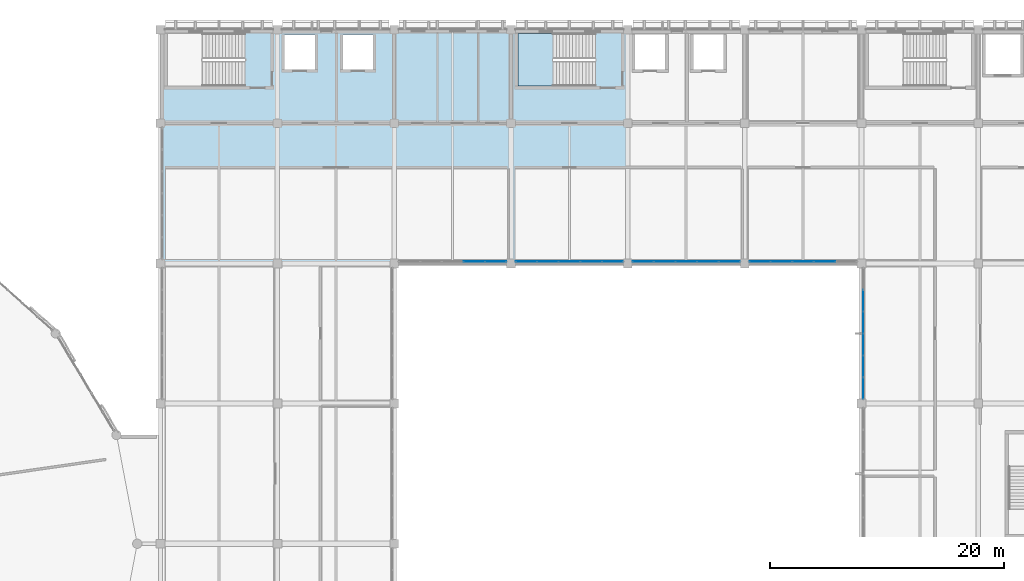
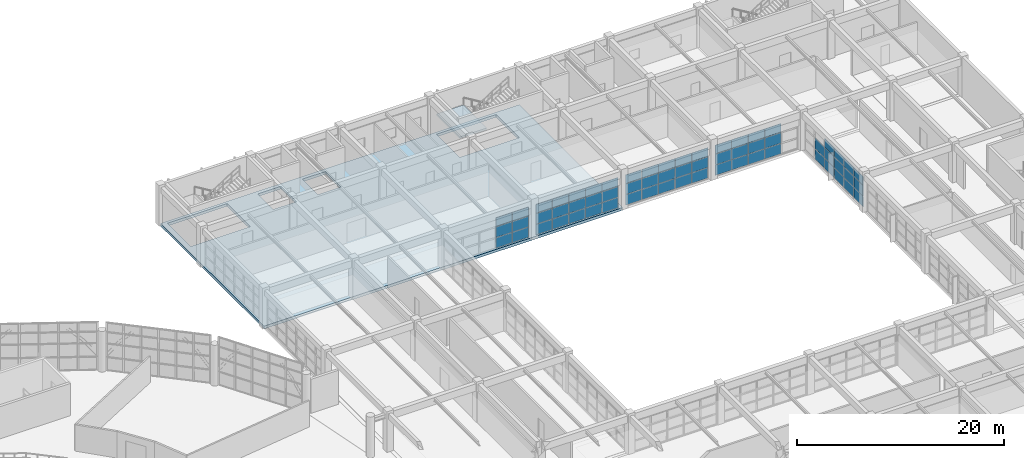
# One storey, part 77 of 109: 62 plates, 2 slabs, 6 elements without a shape of their own.
"""IFC4 building model written with IfcOpenShell, lengths in metres."""

from ifc_helpers import new_model, si_unit, direction, frame, origin, origin_2d, place, context, subcontext, project, spatial, polyline, rectangle, outline, extrude, material, layer, layer_set, type_object, element, aggregate, save


model = new_model("IFC4")

# Units and contexts
model_context = context("Model", 3, precision=1e-05, world=origin(), true_north=direction((0.0, 1.0)))
body_context = subcontext(model_context, "Body", "Model", "MODEL_VIEW")
ifc_project = project(units=[si_unit("LENGTHUNIT", "METRE"), si_unit("AREAUNIT", "SQUARE_METRE"), si_unit("VOLUMEUNIT", "CUBIC_METRE"), si_unit("PLANEANGLEUNIT", "RADIAN"), si_unit("MASSUNIT", "GRAM", prefix="KILO")], contexts=[model_context])

# Site, building, storey
site_placement = place(None, origin())
site = spatial("IfcSite", under=ifc_project, at=site_placement, CompositionType="ELEMENT")
building_placement = place(site_placement, origin())
building = spatial("IfcBuilding", under=site, at=building_placement, Name="Kivolera Central Railway Station", CompositionType="ELEMENT")
storey_placement = place(building_placement, frame((0.0, 0.0, 9.60009765625)))
storey = spatial("IfcBuildingStorey", under=building, at=storey_placement, Name="L02", CompositionType="ELEMENT", Elevation=9.60009765625)

# Curtain wall, plates
ifc_material_1 = material(Name="Anodised aluminium", Category="aluminium")
ifc_layer_1 = layer(ifc_material_1, 0.179931640625, Name="Anodised aluminium")
ifc_layer_set_1 = layer_set([ifc_layer_1], Name="Anodised aluminium")
curtain_wall_type_1 = type_object("IfcCurtainWallType", Name="CW-SYS-27", PredefinedType="NOTDEFINED", material=ifc_layer_set_1)
curtain_wall_1_placement = place(storey_placement, origin())
curtain_wall_1 = element("IfcCurtainWall", 1, at=curtain_wall_1_placement, inside=storey, type_object=curtain_wall_type_1, Name="L02 Curtain Wall CW-L02-CRTN-138", PredefinedType="NOTDEFINED")
ifc_material_2 = material(Name="Double low-E laminated glass", Category="glass")
ifc_layer_2 = layer(ifc_material_2, 0.030029296875, Name="Double low-E laminated glass")
ifc_layer_set_2 = layer_set([ifc_layer_2], Name="Double low-E laminated glass")
plate_type_1 = type_object("IfcPlateType", Name="CWP-GLZ-2", PredefinedType="CURTAIN_PANEL", material=ifc_layer_set_2)
plate_1_placement = place(storey_placement, frame((146.68896484375, 114.153076171875, 0.0478515625), z_axis=(0.0, 0.0, 1.0), x_axis=(-1.0, 0.0, 0.0)))
plate_1 = element("IfcPlate", 2, at=plate_1_placement, type_object=plate_type_1, Name="CW-27 panel 1.1", PredefinedType="CURTAIN_PANEL", context=body_context, shape_type="SweptSolid", body=[
    extrude(rectangle(XDim=1.785888671875, YDim=0.030029296875, at=origin_2d()), origin(), (0.0, 0.0, 1.0), 1.21435546875),
])
plate_2_placement = place(storey_placement, frame((146.68896484375, 114.153076171875, 1.29833984375), z_axis=(0.0, 0.0, 1.0), x_axis=(-1.0, 0.0, 0.0)))
plate_2 = element("IfcPlate", 3, at=plate_2_placement, type_object=plate_type_1, Name="CW-27 panel 1.2", PredefinedType="CURTAIN_PANEL", context=body_context, shape_type="SweptSolid", body=[
    extrude(rectangle(XDim=1.785888671875, YDim=0.030029296875, at=origin_2d()), origin(), (0.0, 0.0, 1.0), 1.244384765625),
])
plate_3_placement = place(storey_placement, frame((146.68896484375, 114.153076171875, 2.57861328125), z_axis=(0.0, 0.0, 1.0), x_axis=(-1.0, 0.0, 0.0)))
plate_3 = element("IfcPlate", 4, at=plate_3_placement, type_object=plate_type_1, Name="CW-27 panel 1.3", PredefinedType="CURTAIN_PANEL", context=body_context, shape_type="SweptSolid", body=[
    extrude(rectangle(XDim=1.785888671875, YDim=0.030029296875, at=origin_2d()), origin(), (0.0, 0.0, 1.0), 1.031494140625),
])
plate_4_placement = place(storey_placement, frame((144.85205078125, 114.153076171875, 0.0478515625), z_axis=(0.0, 0.0, 1.0), x_axis=(-1.0, 0.0, 0.0)))
plate_4 = element("IfcPlate", 5, at=plate_4_placement, type_object=plate_type_1, Name="CW-27 panel 2.1", PredefinedType="CURTAIN_PANEL", context=body_context, shape_type="SweptSolid", body=[
    extrude(rectangle(XDim=1.81591796875, YDim=0.030029296875, at=origin_2d()), origin(), (0.0, 0.0, 1.0), 1.21435546875),
])
plate_5_placement = place(storey_placement, frame((144.85205078125, 114.153076171875, 1.29833984375), z_axis=(0.0, 0.0, 1.0), x_axis=(-1.0, 0.0, 0.0)))
plate_5 = element("IfcPlate", 6, at=plate_5_placement, type_object=plate_type_1, Name="CW-27 panel 2.2", PredefinedType="CURTAIN_PANEL", context=body_context, shape_type="SweptSolid", body=[
    extrude(rectangle(XDim=1.81591796875, YDim=0.030029296875, at=origin_2d()), origin(), (0.0, 0.0, 1.0), 1.244384765625),
])
plate_6_placement = place(storey_placement, frame((144.85205078125, 114.153076171875, 2.57861328125), z_axis=(0.0, 0.0, 1.0), x_axis=(-1.0, 0.0, 0.0)))
plate_6 = element("IfcPlate", 7, at=plate_6_placement, type_object=plate_type_1, Name="CW-27 panel 2.3", PredefinedType="CURTAIN_PANEL", context=body_context, shape_type="SweptSolid", body=[
    extrude(rectangle(XDim=1.81591796875, YDim=0.030029296875, at=origin_2d()), origin(), (0.0, 0.0, 1.0), 1.031494140625),
])
aggregate(curtain_wall_1, [plate_1, plate_2, plate_3, plate_4, plate_5, plate_6])

ifc_layer_3 = layer(ifc_material_1, 0.179931640625, Name="Anodised aluminium")
ifc_layer_set_3 = layer_set([ifc_layer_3], Name="Anodised aluminium")
curtain_wall_type_2 = type_object("IfcCurtainWallType", Name="CW-SYS-28", PredefinedType="NOTDEFINED", material=ifc_layer_set_3)
curtain_wall_2_placement = place(storey_placement, origin())
curtain_wall_2 = element("IfcCurtainWall", 8, at=curtain_wall_2_placement, inside=storey, type_object=curtain_wall_type_2, Name="L02 Curtain Wall CW-L02-CRTE-J", PredefinedType="NOTDEFINED")
plate_7_placement = place(storey_placement, frame((178.153076171875, 103.3232421875, 0.0478515625), z_axis=(0.0, 0.0, 1.0), x_axis=(0.0, 1.0, 0.0)))
plate_7 = element("IfcPlate", 9, at=plate_7_placement, type_object=plate_type_1, Name="CW-28 panel 1.1", PredefinedType="CURTAIN_PANEL", context=body_context, shape_type="SweptSolid", body=[
    extrude(rectangle(XDim=1.810546875, YDim=0.030029296875, at=origin_2d()), origin(), (0.0, 0.0, 1.0), 1.21435546875),
])
plate_8_placement = place(storey_placement, frame((178.153076171875, 103.3232421875, 1.29833984375), z_axis=(0.0, 0.0, 1.0), x_axis=(0.0, 1.0, 0.0)))
plate_8 = element("IfcPlate", 10, at=plate_8_placement, type_object=plate_type_1, Name="CW-28 panel 1.2", PredefinedType="CURTAIN_PANEL", context=body_context, shape_type="SweptSolid", body=[
    extrude(rectangle(XDim=1.810546875, YDim=0.030029296875, at=origin_2d()), origin(), (0.0, 0.0, 1.0), 1.244384765625),
])
plate_9_placement = place(storey_placement, frame((178.153076171875, 103.3232421875, 2.57861328125), z_axis=(0.0, 0.0, 1.0), x_axis=(0.0, 1.0, 0.0)))
plate_9 = element("IfcPlate", 11, at=plate_9_placement, type_object=plate_type_1, Name="CW-28 panel 1.3", PredefinedType="CURTAIN_PANEL", context=body_context, shape_type="SweptSolid", body=[
    extrude(rectangle(XDim=1.810546875, YDim=0.030029296875, at=origin_2d()), origin(), (0.0, 0.0, 1.0), 1.031494140625),
])
plate_10_placement = place(storey_placement, frame((178.153076171875, 105.18505859375, 0.0478515625), z_axis=(0.0, 0.0, 1.0), x_axis=(0.0, 1.0, 0.0)))
plate_10 = element("IfcPlate", 12, at=plate_10_placement, type_object=plate_type_1, Name="CW-28 panel 2.1", PredefinedType="CURTAIN_PANEL", context=body_context, shape_type="SweptSolid", body=[
    extrude(rectangle(XDim=1.840576171875, YDim=0.030029296875, at=origin_2d()), origin(), (0.0, 0.0, 1.0), 1.21435546875),
])
plate_11_placement = place(storey_placement, frame((178.153076171875, 105.18505859375, 1.29833984375), z_axis=(0.0, 0.0, 1.0), x_axis=(0.0, 1.0, 0.0)))
plate_11 = element("IfcPlate", 13, at=plate_11_placement, type_object=plate_type_1, Name="CW-28 panel 2.2", PredefinedType="CURTAIN_PANEL", context=body_context, shape_type="SweptSolid", body=[
    extrude(rectangle(XDim=1.840576171875, YDim=0.030029296875, at=origin_2d()), origin(), (0.0, 0.0, 1.0), 1.244384765625),
])
plate_12_placement = place(storey_placement, frame((178.153076171875, 105.18505859375, 2.57861328125), z_axis=(0.0, 0.0, 1.0), x_axis=(0.0, 1.0, 0.0)))
plate_12 = element("IfcPlate", 14, at=plate_12_placement, type_object=plate_type_1, Name="CW-28 panel 2.3", PredefinedType="CURTAIN_PANEL", context=body_context, shape_type="SweptSolid", body=[
    extrude(rectangle(XDim=1.840576171875, YDim=0.030029296875, at=origin_2d()), origin(), (0.0, 0.0, 1.0), 1.031494140625),
])
plate_13_placement = place(storey_placement, frame((178.153076171875, 107.061767578125, 0.0478515625), z_axis=(0.0, 0.0, 1.0), x_axis=(0.0, 1.0, 0.0)))
plate_13 = element("IfcPlate", 15, at=plate_13_placement, type_object=plate_type_1, Name="CW-28 panel 3.1", PredefinedType="CURTAIN_PANEL", context=body_context, shape_type="SweptSolid", body=[
    extrude(rectangle(XDim=1.840576171875, YDim=0.030029296875, at=origin_2d()), origin(), (0.0, 0.0, 1.0), 1.21435546875),
])
plate_14_placement = place(storey_placement, frame((178.153076171875, 107.061767578125, 1.29833984375), z_axis=(0.0, 0.0, 1.0), x_axis=(0.0, 1.0, 0.0)))
plate_14 = element("IfcPlate", 16, at=plate_14_placement, type_object=plate_type_1, Name="CW-28 panel 3.2", PredefinedType="CURTAIN_PANEL", context=body_context, shape_type="SweptSolid", body=[
    extrude(rectangle(XDim=1.840576171875, YDim=0.030029296875, at=origin_2d()), origin(), (0.0, 0.0, 1.0), 1.244384765625),
])
plate_15_placement = place(storey_placement, frame((178.153076171875, 107.061767578125, 2.57861328125), z_axis=(0.0, 0.0, 1.0), x_axis=(0.0, 1.0, 0.0)))
plate_15 = element("IfcPlate", 17, at=plate_15_placement, type_object=plate_type_1, Name="CW-28 panel 3.3", PredefinedType="CURTAIN_PANEL", context=body_context, shape_type="SweptSolid", body=[
    extrude(rectangle(XDim=1.840576171875, YDim=0.030029296875, at=origin_2d()), origin(), (0.0, 0.0, 1.0), 1.031494140625),
])
plate_16_placement = place(storey_placement, frame((178.153076171875, 108.938232421875, 0.0478515625), z_axis=(0.0, 0.0, 1.0), x_axis=(0.0, 1.0, 0.0)))
plate_16 = element("IfcPlate", 18, at=plate_16_placement, type_object=plate_type_1, Name="CW-28 panel 4.1", PredefinedType="CURTAIN_PANEL", context=body_context, shape_type="SweptSolid", body=[
    extrude(rectangle(XDim=1.840576171875, YDim=0.030029296875, at=origin_2d()), origin(), (0.0, 0.0, 1.0), 1.21435546875),
])
plate_17_placement = place(storey_placement, frame((178.153076171875, 108.938232421875, 1.29833984375), z_axis=(0.0, 0.0, 1.0), x_axis=(0.0, 1.0, 0.0)))
plate_17 = element("IfcPlate", 19, at=plate_17_placement, type_object=plate_type_1, Name="CW-28 panel 4.2", PredefinedType="CURTAIN_PANEL", context=body_context, shape_type="SweptSolid", body=[
    extrude(rectangle(XDim=1.840576171875, YDim=0.030029296875, at=origin_2d()), origin(), (0.0, 0.0, 1.0), 1.244384765625),
])
plate_18_placement = place(storey_placement, frame((178.153076171875, 108.938232421875, 2.57861328125), z_axis=(0.0, 0.0, 1.0), x_axis=(0.0, 1.0, 0.0)))
plate_18 = element("IfcPlate", 20, at=plate_18_placement, type_object=plate_type_1, Name="CW-28 panel 4.3", PredefinedType="CURTAIN_PANEL", context=body_context, shape_type="SweptSolid", body=[
    extrude(rectangle(XDim=1.840576171875, YDim=0.030029296875, at=origin_2d()), origin(), (0.0, 0.0, 1.0), 1.031494140625),
])
plate_19_placement = place(storey_placement, frame((178.153076171875, 110.81494140625, 0.0478515625), z_axis=(0.0, 0.0, 1.0), x_axis=(0.0, 1.0, 0.0)))
plate_19 = element("IfcPlate", 21, at=plate_19_placement, type_object=plate_type_1, Name="CW-28 panel 5.1", PredefinedType="CURTAIN_PANEL", context=body_context, shape_type="SweptSolid", body=[
    extrude(rectangle(XDim=1.840576171875, YDim=0.030029296875, at=origin_2d()), origin(), (0.0, 0.0, 1.0), 1.21435546875),
])
plate_20_placement = place(storey_placement, frame((178.153076171875, 110.81494140625, 1.29833984375), z_axis=(0.0, 0.0, 1.0), x_axis=(0.0, 1.0, 0.0)))
plate_20 = element("IfcPlate", 22, at=plate_20_placement, type_object=plate_type_1, Name="CW-28 panel 5.2", PredefinedType="CURTAIN_PANEL", context=body_context, shape_type="SweptSolid", body=[
    extrude(rectangle(XDim=1.840576171875, YDim=0.030029296875, at=origin_2d()), origin(), (0.0, 0.0, 1.0), 1.244384765625),
])
aggregate(curtain_wall_2, [plate_7, plate_8, plate_9, plate_10, plate_11, plate_12, plate_13, plate_14, plate_15, plate_16, plate_17, plate_18, plate_19, plate_20])

curtain_wall_3_placement = place(storey_placement, origin())
curtain_wall_3 = element("IfcCurtainWall", 23, at=curtain_wall_3_placement, inside=storey, type_object=curtain_wall_type_1, Name="L02 Curtain Wall CW-L02-CRTN-148", PredefinedType="NOTDEFINED")
ifc_layer_4 = layer(ifc_material_2, 0.033935546875, Name="Double low-E laminated glass")
ifc_layer_set_4 = layer_set([ifc_layer_4], Name="Double low-E laminated glass")
plate_type_2 = type_object("IfcPlateType", Name="CWP-GLZ-3", PredefinedType="CURTAIN_PANEL", material=ifc_layer_set_4)
plate_21_placement = place(storey_placement, frame((156.68896484375, 114.153076171875, 0.0478515625), z_axis=(0.0, 0.0, 1.0), x_axis=(-1.0, 0.0, 0.0)))
plate_21 = element("IfcPlate", 24, at=plate_21_placement, type_object=plate_type_2, Name="CW-27 panel 1.1", PredefinedType="CURTAIN_PANEL", context=body_context, shape_type="SweptSolid", body=[
    extrude(rectangle(XDim=1.785888671875, YDim=0.033935546875, at=origin_2d()), origin(), (0.0, 0.0, 1.0), 1.21435546875),
])
plate_22_placement = place(storey_placement, frame((156.68896484375, 114.153076171875, 1.29833984375), z_axis=(0.0, 0.0, 1.0), x_axis=(-1.0, 0.0, 0.0)))
plate_22 = element("IfcPlate", 25, at=plate_22_placement, type_object=plate_type_2, Name="CW-27 panel 1.2", PredefinedType="CURTAIN_PANEL", context=body_context, shape_type="SweptSolid", body=[
    extrude(rectangle(XDim=1.785888671875, YDim=0.033935546875, at=origin_2d()), origin(), (0.0, 0.0, 1.0), 1.244384765625),
])
plate_23_placement = place(storey_placement, frame((156.68896484375, 114.153076171875, 2.57861328125), z_axis=(0.0, 0.0, 1.0), x_axis=(-1.0, 0.0, 0.0)))
plate_23 = element("IfcPlate", 26, at=plate_23_placement, type_object=plate_type_2, Name="CW-27 panel 1.3", PredefinedType="CURTAIN_PANEL", context=body_context, shape_type="SweptSolid", body=[
    extrude(rectangle(XDim=1.785888671875, YDim=0.033935546875, at=origin_2d()), origin(), (0.0, 0.0, 1.0), 1.031494140625),
])
plate_24_placement = place(storey_placement, frame((154.85205078125, 114.153076171875, 0.0478515625), z_axis=(0.0, 0.0, 1.0), x_axis=(-1.0, 0.0, 0.0)))
plate_24 = element("IfcPlate", 27, at=plate_24_placement, type_object=plate_type_2, Name="CW-27 panel 2.1", PredefinedType="CURTAIN_PANEL", context=body_context, shape_type="SweptSolid", body=[
    extrude(rectangle(XDim=1.81591796875, YDim=0.033935546875, at=origin_2d()), origin(), (0.0, 0.0, 1.0), 1.21435546875),
])
plate_25_placement = place(storey_placement, frame((154.85205078125, 114.153076171875, 1.29833984375), z_axis=(0.0, 0.0, 1.0), x_axis=(-1.0, 0.0, 0.0)))
plate_25 = element("IfcPlate", 28, at=plate_25_placement, type_object=plate_type_2, Name="CW-27 panel 2.2", PredefinedType="CURTAIN_PANEL", context=body_context, shape_type="SweptSolid", body=[
    extrude(rectangle(XDim=1.81591796875, YDim=0.033935546875, at=origin_2d()), origin(), (0.0, 0.0, 1.0), 1.244384765625),
])
plate_26_placement = place(storey_placement, frame((154.85205078125, 114.153076171875, 2.57861328125), z_axis=(0.0, 0.0, 1.0), x_axis=(-1.0, 0.0, 0.0)))
plate_26 = element("IfcPlate", 29, at=plate_26_placement, type_object=plate_type_2, Name="CW-27 panel 2.3", PredefinedType="CURTAIN_PANEL", context=body_context, shape_type="SweptSolid", body=[
    extrude(rectangle(XDim=1.81591796875, YDim=0.033935546875, at=origin_2d()), origin(), (0.0, 0.0, 1.0), 1.031494140625),
])
plate_27_placement = place(storey_placement, frame((153.0, 114.153076171875, 0.0478515625), z_axis=(0.0, 0.0, 1.0), x_axis=(-1.0, 0.0, 0.0)))
plate_27 = element("IfcPlate", 30, at=plate_27_placement, type_object=plate_type_2, Name="CW-27 panel 3.1", PredefinedType="CURTAIN_PANEL", context=body_context, shape_type="SweptSolid", body=[
    extrude(rectangle(XDim=1.81591796875, YDim=0.033935546875, at=origin_2d()), origin(), (0.0, 0.0, 1.0), 1.21435546875),
])
plate_28_placement = place(storey_placement, frame((153.0, 114.153076171875, 1.29833984375), z_axis=(0.0, 0.0, 1.0), x_axis=(-1.0, 0.0, 0.0)))
plate_28 = element("IfcPlate", 31, at=plate_28_placement, type_object=plate_type_2, Name="CW-27 panel 3.2", PredefinedType="CURTAIN_PANEL", context=body_context, shape_type="SweptSolid", body=[
    extrude(rectangle(XDim=1.81591796875, YDim=0.033935546875, at=origin_2d()), origin(), (0.0, 0.0, 1.0), 1.244384765625),
])
plate_29_placement = place(storey_placement, frame((153.0, 114.153076171875, 2.57861328125), z_axis=(0.0, 0.0, 1.0), x_axis=(-1.0, 0.0, 0.0)))
plate_29 = element("IfcPlate", 32, at=plate_29_placement, type_object=plate_type_2, Name="CW-27 panel 3.3", PredefinedType="CURTAIN_PANEL", context=body_context, shape_type="SweptSolid", body=[
    extrude(rectangle(XDim=1.81591796875, YDim=0.033935546875, at=origin_2d()), origin(), (0.0, 0.0, 1.0), 1.031494140625),
])
plate_30_placement = place(storey_placement, frame((151.14794921875, 114.153076171875, 0.0478515625), z_axis=(0.0, 0.0, 1.0), x_axis=(-1.0, 0.0, 0.0)))
plate_30 = element("IfcPlate", 33, at=plate_30_placement, type_object=plate_type_2, Name="CW-27 panel 4.1", PredefinedType="CURTAIN_PANEL", context=body_context, shape_type="SweptSolid", body=[
    extrude(rectangle(XDim=1.81591796875, YDim=0.033935546875, at=origin_2d()), origin(), (0.0, 0.0, 1.0), 1.21435546875),
])
plate_31_placement = place(storey_placement, frame((151.14794921875, 114.153076171875, 1.29833984375), z_axis=(0.0, 0.0, 1.0), x_axis=(-1.0, 0.0, 0.0)))
plate_31 = element("IfcPlate", 34, at=plate_31_placement, type_object=plate_type_2, Name="CW-27 panel 4.2", PredefinedType="CURTAIN_PANEL", context=body_context, shape_type="SweptSolid", body=[
    extrude(rectangle(XDim=1.81591796875, YDim=0.033935546875, at=origin_2d()), origin(), (0.0, 0.0, 1.0), 1.244384765625),
])
plate_32_placement = place(storey_placement, frame((151.14794921875, 114.153076171875, 2.57861328125), z_axis=(0.0, 0.0, 1.0), x_axis=(-1.0, 0.0, 0.0)))
plate_32 = element("IfcPlate", 35, at=plate_32_placement, type_object=plate_type_2, Name="CW-27 panel 4.3", PredefinedType="CURTAIN_PANEL", context=body_context, shape_type="SweptSolid", body=[
    extrude(rectangle(XDim=1.81591796875, YDim=0.033935546875, at=origin_2d()), origin(), (0.0, 0.0, 1.0), 1.031494140625),
])
plate_33_placement = place(storey_placement, frame((149.31103515625, 114.153076171875, 0.0478515625), z_axis=(0.0, 0.0, 1.0), x_axis=(-1.0, 0.0, 0.0)))
plate_33 = element("IfcPlate", 36, at=plate_33_placement, type_object=plate_type_2, Name="CW-27 panel 5.1", PredefinedType="CURTAIN_PANEL", context=body_context, shape_type="SweptSolid", body=[
    extrude(rectangle(XDim=1.785888671875, YDim=0.033935546875, at=origin_2d()), origin(), (0.0, 0.0, 1.0), 1.21435546875),
])
plate_34_placement = place(storey_placement, frame((149.31103515625, 114.153076171875, 1.29833984375), z_axis=(0.0, 0.0, 1.0), x_axis=(-1.0, 0.0, 0.0)))
plate_34 = element("IfcPlate", 37, at=plate_34_placement, type_object=plate_type_2, Name="CW-27 panel 5.2", PredefinedType="CURTAIN_PANEL", context=body_context, shape_type="SweptSolid", body=[
    extrude(rectangle(XDim=1.785888671875, YDim=0.033935546875, at=origin_2d()), origin(), (0.0, 0.0, 1.0), 1.244384765625),
])
plate_35_placement = place(storey_placement, frame((149.31103515625, 114.153076171875, 2.57861328125), z_axis=(0.0, 0.0, 1.0), x_axis=(-1.0, 0.0, 0.0)))
plate_35 = element("IfcPlate", 38, at=plate_35_placement, type_object=plate_type_2, Name="CW-27 panel 5.3", PredefinedType="CURTAIN_PANEL", context=body_context, shape_type="SweptSolid", body=[
    extrude(rectangle(XDim=1.785888671875, YDim=0.033935546875, at=origin_2d()), origin(), (0.0, 0.0, 1.0), 1.031494140625),
])
aggregate(curtain_wall_3, [plate_21, plate_22, plate_23, plate_24, plate_25, plate_26, plate_27, plate_28, plate_29, plate_30, plate_31, plate_32, plate_33, plate_34, plate_35])

curtain_wall_4_placement = place(storey_placement, origin())
curtain_wall_4 = element("IfcCurtainWall", 39, at=curtain_wall_4_placement, inside=storey, type_object=curtain_wall_type_1, Name="L02 Curtain Wall CW-L02-CRTN-158", PredefinedType="NOTDEFINED")
ifc_layer_5 = layer(ifc_material_2, 0.0380859375, Name="Double low-E laminated glass")
ifc_layer_set_5 = layer_set([ifc_layer_5], Name="Double low-E laminated glass")
plate_type_3 = type_object("IfcPlateType", Name="CWP-GLZ-4", PredefinedType="CURTAIN_PANEL", material=ifc_layer_set_5)
plate_36_placement = place(storey_placement, frame((166.68896484375, 114.153076171875, 0.0478515625), z_axis=(0.0, 0.0, 1.0), x_axis=(-1.0, 0.0, 0.0)))
plate_36 = element("IfcPlate", 40, at=plate_36_placement, type_object=plate_type_3, Name="CW-27 panel 1.1", PredefinedType="CURTAIN_PANEL", context=body_context, shape_type="SweptSolid", body=[
    extrude(rectangle(XDim=1.785888671875, YDim=0.0380859375, at=origin_2d()), origin(), (0.0, 0.0, 1.0), 1.21435546875),
])
plate_37_placement = place(storey_placement, frame((166.68896484375, 114.153076171875, 1.29833984375), z_axis=(0.0, 0.0, 1.0), x_axis=(-1.0, 0.0, 0.0)))
plate_37 = element("IfcPlate", 41, at=plate_37_placement, type_object=plate_type_3, Name="CW-27 panel 1.2", PredefinedType="CURTAIN_PANEL", context=body_context, shape_type="SweptSolid", body=[
    extrude(rectangle(XDim=1.785888671875, YDim=0.0380859375, at=origin_2d()), origin(), (0.0, 0.0, 1.0), 1.244384765625),
])
plate_38_placement = place(storey_placement, frame((166.68896484375, 114.153076171875, 2.57861328125), z_axis=(0.0, 0.0, 1.0), x_axis=(-1.0, 0.0, 0.0)))
plate_38 = element("IfcPlate", 42, at=plate_38_placement, type_object=plate_type_3, Name="CW-27 panel 1.3", PredefinedType="CURTAIN_PANEL", context=body_context, shape_type="SweptSolid", body=[
    extrude(rectangle(XDim=1.785888671875, YDim=0.0380859375, at=origin_2d()), origin(), (0.0, 0.0, 1.0), 1.031494140625),
])
plate_39_placement = place(storey_placement, frame((164.85205078125, 114.153076171875, 0.0478515625), z_axis=(0.0, 0.0, 1.0), x_axis=(-1.0, 0.0, 0.0)))
plate_39 = element("IfcPlate", 43, at=plate_39_placement, type_object=plate_type_3, Name="CW-27 panel 2.1", PredefinedType="CURTAIN_PANEL", context=body_context, shape_type="SweptSolid", body=[
    extrude(rectangle(XDim=1.81591796875, YDim=0.0380859375, at=origin_2d()), origin(), (0.0, 0.0, 1.0), 1.21435546875),
])
plate_40_placement = place(storey_placement, frame((164.85205078125, 114.153076171875, 1.29833984375), z_axis=(0.0, 0.0, 1.0), x_axis=(-1.0, 0.0, 0.0)))
plate_40 = element("IfcPlate", 44, at=plate_40_placement, type_object=plate_type_3, Name="CW-27 panel 2.2", PredefinedType="CURTAIN_PANEL", context=body_context, shape_type="SweptSolid", body=[
    extrude(rectangle(XDim=1.81591796875, YDim=0.0380859375, at=origin_2d()), origin(), (0.0, 0.0, 1.0), 1.244384765625),
])
plate_41_placement = place(storey_placement, frame((164.85205078125, 114.153076171875, 2.57861328125), z_axis=(0.0, 0.0, 1.0), x_axis=(-1.0, 0.0, 0.0)))
plate_41 = element("IfcPlate", 45, at=plate_41_placement, type_object=plate_type_3, Name="CW-27 panel 2.3", PredefinedType="CURTAIN_PANEL", context=body_context, shape_type="SweptSolid", body=[
    extrude(rectangle(XDim=1.81591796875, YDim=0.0380859375, at=origin_2d()), origin(), (0.0, 0.0, 1.0), 1.031494140625),
])
plate_42_placement = place(storey_placement, frame((163.0, 114.153076171875, 0.0478515625), z_axis=(0.0, 0.0, 1.0), x_axis=(-1.0, 0.0, 0.0)))
plate_42 = element("IfcPlate", 46, at=plate_42_placement, type_object=plate_type_3, Name="CW-27 panel 3.1", PredefinedType="CURTAIN_PANEL", context=body_context, shape_type="SweptSolid", body=[
    extrude(rectangle(XDim=1.81591796875, YDim=0.0380859375, at=origin_2d()), origin(), (0.0, 0.0, 1.0), 1.21435546875),
])
plate_43_placement = place(storey_placement, frame((163.0, 114.153076171875, 1.29833984375), z_axis=(0.0, 0.0, 1.0), x_axis=(-1.0, 0.0, 0.0)))
plate_43 = element("IfcPlate", 47, at=plate_43_placement, type_object=plate_type_3, Name="CW-27 panel 3.2", PredefinedType="CURTAIN_PANEL", context=body_context, shape_type="SweptSolid", body=[
    extrude(rectangle(XDim=1.81591796875, YDim=0.0380859375, at=origin_2d()), origin(), (0.0, 0.0, 1.0), 1.244384765625),
])
plate_44_placement = place(storey_placement, frame((163.0, 114.153076171875, 2.57861328125), z_axis=(0.0, 0.0, 1.0), x_axis=(-1.0, 0.0, 0.0)))
plate_44 = element("IfcPlate", 48, at=plate_44_placement, type_object=plate_type_3, Name="CW-27 panel 3.3", PredefinedType="CURTAIN_PANEL", context=body_context, shape_type="SweptSolid", body=[
    extrude(rectangle(XDim=1.81591796875, YDim=0.0380859375, at=origin_2d()), origin(), (0.0, 0.0, 1.0), 1.031494140625),
])
plate_45_placement = place(storey_placement, frame((161.14794921875, 114.153076171875, 0.0478515625), z_axis=(0.0, 0.0, 1.0), x_axis=(-1.0, 0.0, 0.0)))
plate_45 = element("IfcPlate", 49, at=plate_45_placement, type_object=plate_type_3, Name="CW-27 panel 4.1", PredefinedType="CURTAIN_PANEL", context=body_context, shape_type="SweptSolid", body=[
    extrude(rectangle(XDim=1.81591796875, YDim=0.0380859375, at=origin_2d()), origin(), (0.0, 0.0, 1.0), 1.21435546875),
])
plate_46_placement = place(storey_placement, frame((161.14794921875, 114.153076171875, 1.29833984375), z_axis=(0.0, 0.0, 1.0), x_axis=(-1.0, 0.0, 0.0)))
plate_46 = element("IfcPlate", 50, at=plate_46_placement, type_object=plate_type_3, Name="CW-27 panel 4.2", PredefinedType="CURTAIN_PANEL", context=body_context, shape_type="SweptSolid", body=[
    extrude(rectangle(XDim=1.81591796875, YDim=0.0380859375, at=origin_2d()), origin(), (0.0, 0.0, 1.0), 1.244384765625),
])
plate_47_placement = place(storey_placement, frame((161.14794921875, 114.153076171875, 2.57861328125), z_axis=(0.0, 0.0, 1.0), x_axis=(-1.0, 0.0, 0.0)))
plate_47 = element("IfcPlate", 51, at=plate_47_placement, type_object=plate_type_3, Name="CW-27 panel 4.3", PredefinedType="CURTAIN_PANEL", context=body_context, shape_type="SweptSolid", body=[
    extrude(rectangle(XDim=1.81591796875, YDim=0.0380859375, at=origin_2d()), origin(), (0.0, 0.0, 1.0), 1.031494140625),
])
plate_48_placement = place(storey_placement, frame((159.31103515625, 114.153076171875, 0.0478515625), z_axis=(0.0, 0.0, 1.0), x_axis=(-1.0, 0.0, 0.0)))
plate_48 = element("IfcPlate", 52, at=plate_48_placement, type_object=plate_type_3, Name="CW-27 panel 5.1", PredefinedType="CURTAIN_PANEL", context=body_context, shape_type="SweptSolid", body=[
    extrude(rectangle(XDim=1.785888671875, YDim=0.0380859375, at=origin_2d()), origin(), (0.0, 0.0, 1.0), 1.21435546875),
])
plate_49_placement = place(storey_placement, frame((159.31103515625, 114.153076171875, 1.29833984375), z_axis=(0.0, 0.0, 1.0), x_axis=(-1.0, 0.0, 0.0)))
plate_49 = element("IfcPlate", 53, at=plate_49_placement, type_object=plate_type_3, Name="CW-27 panel 5.2", PredefinedType="CURTAIN_PANEL", context=body_context, shape_type="SweptSolid", body=[
    extrude(rectangle(XDim=1.785888671875, YDim=0.0380859375, at=origin_2d()), origin(), (0.0, 0.0, 1.0), 1.244384765625),
])
plate_50_placement = place(storey_placement, frame((159.31103515625, 114.153076171875, 2.57861328125), z_axis=(0.0, 0.0, 1.0), x_axis=(-1.0, 0.0, 0.0)))
plate_50 = element("IfcPlate", 54, at=plate_50_placement, type_object=plate_type_3, Name="CW-27 panel 5.3", PredefinedType="CURTAIN_PANEL", context=body_context, shape_type="SweptSolid", body=[
    extrude(rectangle(XDim=1.785888671875, YDim=0.0380859375, at=origin_2d()), origin(), (0.0, 0.0, 1.0), 1.031494140625),
])
aggregate(curtain_wall_4, [plate_36, plate_37, plate_38, plate_39, plate_40, plate_41, plate_42, plate_43, plate_44, plate_45, plate_46, plate_47, plate_48, plate_49, plate_50])

curtain_wall_5_placement = place(storey_placement, origin())
curtain_wall_5 = element("IfcCurtainWall", 55, at=curtain_wall_5_placement, inside=storey, type_object=curtain_wall_type_1, Name="L02 Curtain Wall CW-L02-CRTN-168", PredefinedType="NOTDEFINED")
ifc_layer_6 = layer(ifc_material_2, 0.0419921875, Name="Double low-E laminated glass")
ifc_layer_set_6 = layer_set([ifc_layer_6], Name="Double low-E laminated glass")
plate_type_4 = type_object("IfcPlateType", Name="CWP-GLZ-5", PredefinedType="CURTAIN_PANEL", material=ifc_layer_set_6)
plate_51_placement = place(storey_placement, frame((174.85205078125, 114.153076171875, 0.0478515625), z_axis=(0.0, 0.0, 1.0), x_axis=(-1.0, 0.0, 0.0)))
plate_51 = element("IfcPlate", 56, at=plate_51_placement, type_object=plate_type_4, Name="CW-27 panel 2.1", PredefinedType="CURTAIN_PANEL", context=body_context, shape_type="SweptSolid", body=[
    extrude(rectangle(XDim=1.81591796875, YDim=0.0419921875, at=origin_2d()), origin(), (0.0, 0.0, 1.0), 1.21435546875),
])
plate_52_placement = place(storey_placement, frame((174.85205078125, 114.153076171875, 1.29833984375), z_axis=(0.0, 0.0, 1.0), x_axis=(-1.0, 0.0, 0.0)))
plate_52 = element("IfcPlate", 57, at=plate_52_placement, type_object=plate_type_4, Name="CW-27 panel 2.2", PredefinedType="CURTAIN_PANEL", context=body_context, shape_type="SweptSolid", body=[
    extrude(rectangle(XDim=1.81591796875, YDim=0.0419921875, at=origin_2d()), origin(), (0.0, 0.0, 1.0), 1.244384765625),
])
plate_53_placement = place(storey_placement, frame((174.85205078125, 114.153076171875, 2.57861328125), z_axis=(0.0, 0.0, 1.0), x_axis=(-1.0, 0.0, 0.0)))
plate_53 = element("IfcPlate", 58, at=plate_53_placement, type_object=plate_type_4, Name="CW-27 panel 2.3", PredefinedType="CURTAIN_PANEL", context=body_context, shape_type="SweptSolid", body=[
    extrude(rectangle(XDim=1.81591796875, YDim=0.0419921875, at=origin_2d()), origin(), (0.0, 0.0, 1.0), 1.031494140625),
])
plate_54_placement = place(storey_placement, frame((173.0, 114.153076171875, 0.0478515625), z_axis=(0.0, 0.0, 1.0), x_axis=(-1.0, 0.0, 0.0)))
plate_54 = element("IfcPlate", 59, at=plate_54_placement, type_object=plate_type_4, Name="CW-27 panel 3.1", PredefinedType="CURTAIN_PANEL", context=body_context, shape_type="SweptSolid", body=[
    extrude(rectangle(XDim=1.81591796875, YDim=0.0419921875, at=origin_2d()), origin(), (0.0, 0.0, 1.0), 1.21435546875),
])
plate_55_placement = place(storey_placement, frame((173.0, 114.153076171875, 1.29833984375), z_axis=(0.0, 0.0, 1.0), x_axis=(-1.0, 0.0, 0.0)))
plate_55 = element("IfcPlate", 60, at=plate_55_placement, type_object=plate_type_4, Name="CW-27 panel 3.2", PredefinedType="CURTAIN_PANEL", context=body_context, shape_type="SweptSolid", body=[
    extrude(rectangle(XDim=1.81591796875, YDim=0.0419921875, at=origin_2d()), origin(), (0.0, 0.0, 1.0), 1.244384765625),
])
plate_56_placement = place(storey_placement, frame((173.0, 114.153076171875, 2.57861328125), z_axis=(0.0, 0.0, 1.0), x_axis=(-1.0, 0.0, 0.0)))
plate_56 = element("IfcPlate", 61, at=plate_56_placement, type_object=plate_type_4, Name="CW-27 panel 3.3", PredefinedType="CURTAIN_PANEL", context=body_context, shape_type="SweptSolid", body=[
    extrude(rectangle(XDim=1.81591796875, YDim=0.0419921875, at=origin_2d()), origin(), (0.0, 0.0, 1.0), 1.031494140625),
])
plate_57_placement = place(storey_placement, frame((171.14794921875, 114.153076171875, 0.0478515625), z_axis=(0.0, 0.0, 1.0), x_axis=(-1.0, 0.0, 0.0)))
plate_57 = element("IfcPlate", 62, at=plate_57_placement, type_object=plate_type_4, Name="CW-27 panel 4.1", PredefinedType="CURTAIN_PANEL", context=body_context, shape_type="SweptSolid", body=[
    extrude(rectangle(XDim=1.81591796875, YDim=0.0419921875, at=origin_2d()), origin(), (0.0, 0.0, 1.0), 1.21435546875),
])
plate_58_placement = place(storey_placement, frame((171.14794921875, 114.153076171875, 1.29833984375), z_axis=(0.0, 0.0, 1.0), x_axis=(-1.0, 0.0, 0.0)))
plate_58 = element("IfcPlate", 63, at=plate_58_placement, type_object=plate_type_4, Name="CW-27 panel 4.2", PredefinedType="CURTAIN_PANEL", context=body_context, shape_type="SweptSolid", body=[
    extrude(rectangle(XDim=1.81591796875, YDim=0.0419921875, at=origin_2d()), origin(), (0.0, 0.0, 1.0), 1.244384765625),
])
plate_59_placement = place(storey_placement, frame((171.14794921875, 114.153076171875, 2.57861328125), z_axis=(0.0, 0.0, 1.0), x_axis=(-1.0, 0.0, 0.0)))
plate_59 = element("IfcPlate", 64, at=plate_59_placement, type_object=plate_type_4, Name="CW-27 panel 4.3", PredefinedType="CURTAIN_PANEL", context=body_context, shape_type="SweptSolid", body=[
    extrude(rectangle(XDim=1.81591796875, YDim=0.0419921875, at=origin_2d()), origin(), (0.0, 0.0, 1.0), 1.031494140625),
])
plate_60_placement = place(storey_placement, frame((169.31103515625, 114.153076171875, 0.0478515625), z_axis=(0.0, 0.0, 1.0), x_axis=(-1.0, 0.0, 0.0)))
plate_60 = element("IfcPlate", 65, at=plate_60_placement, type_object=plate_type_4, Name="CW-27 panel 5.1", PredefinedType="CURTAIN_PANEL", context=body_context, shape_type="SweptSolid", body=[
    extrude(rectangle(XDim=1.785888671875, YDim=0.0419921875, at=origin_2d()), origin(), (0.0, 0.0, 1.0), 1.21435546875),
])
plate_61_placement = place(storey_placement, frame((169.31103515625, 114.153076171875, 1.29833984375), z_axis=(0.0, 0.0, 1.0), x_axis=(-1.0, 0.0, 0.0)))
plate_61 = element("IfcPlate", 66, at=plate_61_placement, type_object=plate_type_4, Name="CW-27 panel 5.2", PredefinedType="CURTAIN_PANEL", context=body_context, shape_type="SweptSolid", body=[
    extrude(rectangle(XDim=1.785888671875, YDim=0.0419921875, at=origin_2d()), origin(), (0.0, 0.0, 1.0), 1.244384765625),
])
plate_62_placement = place(storey_placement, frame((169.31103515625, 114.153076171875, 2.57861328125), z_axis=(0.0, 0.0, 1.0), x_axis=(-1.0, 0.0, 0.0)))
plate_62 = element("IfcPlate", 67, at=plate_62_placement, type_object=plate_type_4, Name="CW-27 panel 5.3", PredefinedType="CURTAIN_PANEL", context=body_context, shape_type="SweptSolid", body=[
    extrude(rectangle(XDim=1.785888671875, YDim=0.0419921875, at=origin_2d()), origin(), (0.0, 0.0, 1.0), 1.031494140625),
])
aggregate(curtain_wall_5, [plate_51, plate_52, plate_53, plate_54, plate_55, plate_56, plate_57, plate_58, plate_59, plate_60, plate_61, plate_62])

# Slab
ifc_material_3 = material(Name="Concrete C40/50", Category="concrete")
ifc_layer_7 = layer(ifc_material_3, 0.320068359375, Name="Concrete C40/50")
ifc_layer_set_7 = layer_set([ifc_layer_7], Name="Concrete C40/50")
slab_type_1 = type_object("IfcSlabType", Name="SLB-FLR-320", PredefinedType="FLOOR", material=ifc_layer_set_7)
slab_1_placement = place(storey_placement, frame((0.0, 0.0, -0.320068359375)))
element("IfcSlab", 68, at=slab_1_placement, inside=storey, type_object=slab_type_1, Name="L02 Wing NORTH-W Floor Slab", PredefinedType="FLOOR", context=body_context, shape_type="SweptSolid", body=[
    extrude(outline(polyline([(118.0, 114.0), (158.0, 114.0), (158.0, 134.0), (118.0, 134.0), (118.0, 114.0)]), holes=[polyline([(125.239990234375, 133.679931640625), (118.60009765625, 133.679931640625), (118.60009765625, 129.179931640625), (125.239990234375, 129.179931640625), (125.239990234375, 133.679931640625)]), polyline([(155.239990234375, 133.679931640625), (148.60009765625, 133.679931640625), (148.60009765625, 129.179931640625), (155.239990234375, 129.179931640625), (155.239990234375, 133.679931640625)]), polyline([(128.60009765625, 130.60009765625), (131.199951171875, 130.60009765625), (131.199951171875, 133.60009765625), (128.60009765625, 133.60009765625), (128.60009765625, 130.60009765625)]), polyline([(133.60009765625, 130.60009765625), (136.199951171875, 130.60009765625), (136.199951171875, 133.60009765625), (133.60009765625, 133.60009765625), (133.60009765625, 130.60009765625)])]), origin(), (0.0, 0.0, 1.0), 0.320068359375),
])

# Stair, slab
stair_type = type_object("IfcStairType", Name="STR-2160-28", PredefinedType="HALF_TURN_STAIR", material=ifc_material_3)
stair_placement = place(storey_placement, origin())
stair = element("IfcStair", 69, at=stair_placement, inside=storey, type_object=stair_type, Name="L02 Protected Exit Stair ST2", PredefinedType="HALF_TURN_STAIR")
ifc_layer_8 = layer(ifc_material_3, 0.199951171875, Name="Concrete C40/50")
ifc_layer_set_8 = layer_set([ifc_layer_8], Name="Concrete C40/50")
slab_type_2 = type_object("IfcSlabType", Name="SLB-LND-200", PredefinedType="LANDING", material=ifc_layer_set_8)
slab_2_placement = place(storey_placement, frame((0.0, 0.0, 2.199951171875)))
slab_2 = element("IfcSlab", 70, at=slab_2_placement, type_object=slab_type_2, Name="ST2 landing 1", PredefinedType="LANDING", context=body_context, shape_type="SweptSolid", body=[
    extrude(outline(polyline([(151.60009765625, 133.679931640625), (148.60009765625, 133.679931640625), (148.60009765625, 129.179931640625), (151.60009765625, 129.179931640625), (151.60009765625, 133.679931640625)])), origin(), (0.0, 0.0, 1.0), 0.199951171875),
])
aggregate(stair, [slab_2])

save(model, "model.ifc")
